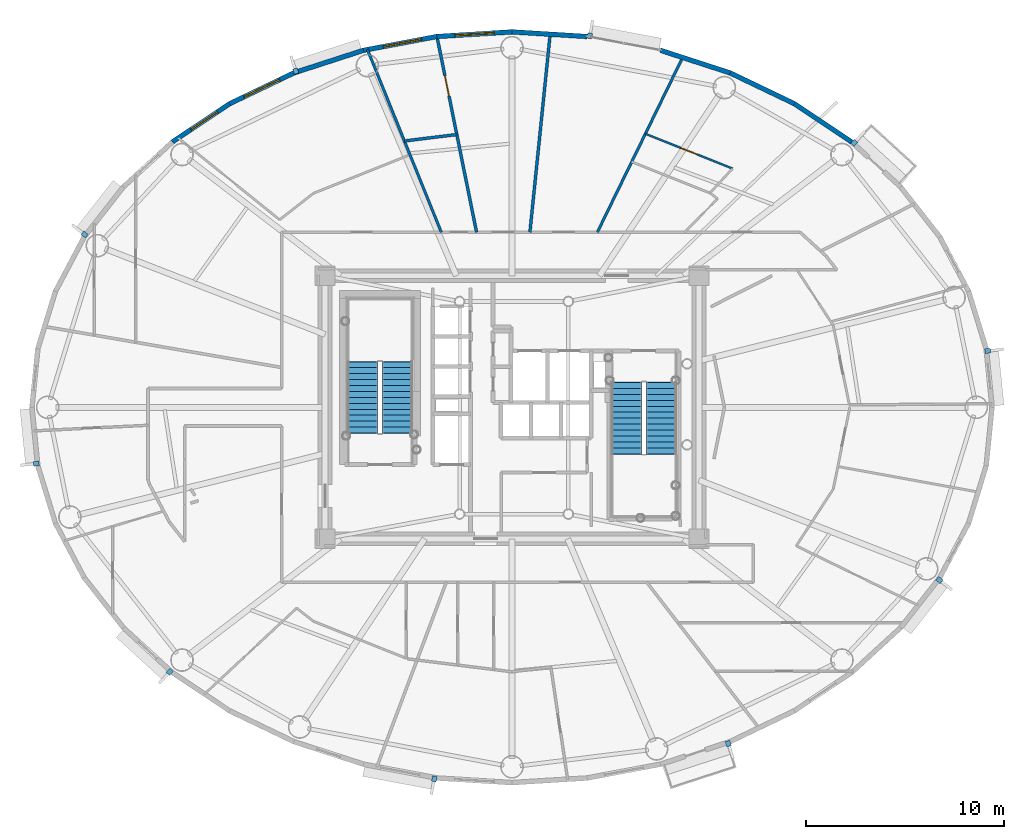
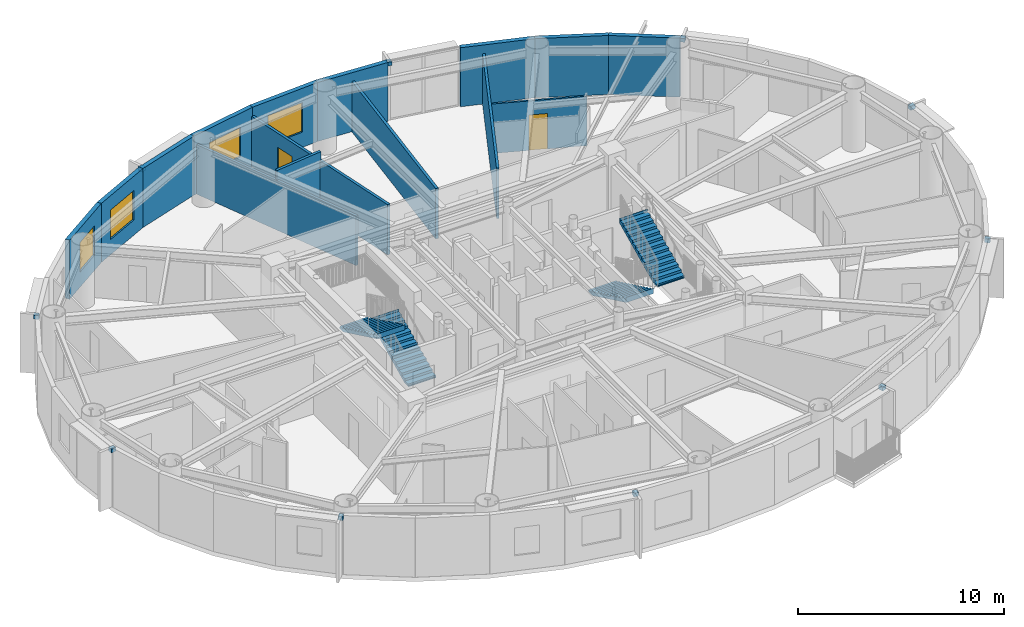
# One storey, part 10 of 18: 15 walls, 10 discrete accessories, 4 stair flights, 4 windows, 2 doors, 6 openings, 2 elements without a shape of their own.
"""IFC4 building model written with IfcOpenShell, lengths in metres."""

import ifcopenshell
import ifcopenshell.guid

model = None  # the IFC model being written
_history = None  # IfcOwnerHistory: only IFC2X3 demands one
_inside = {}  # id of a spatial element -> (the spatial element, [elements in it])
_under = {}  # id of a project, library or spatial element -> (it, [spatial elements below it])
_declared = {}  # id of a project -> (the project, [libraries it declares])
_typed = {}  # id of a type object -> (the type object, [elements of that type])
_made_of = {}  # id of a material, layer set ... -> (it, [elements and type objects made of it])


def new_model(schema):
    """Start an empty IFC model of exactly this schema.

    Asked for "IFC4X3", IfcOpenShell would pick the latest addendum, in which some entities
    have other attributes; the version numbers below select the first issue.
    IFC2X3 requires an IfcOwnerHistory on every rooted entity: one is made here for all.
    """
    global model, _history
    if schema == "IFC4X3":
        model = ifcopenshell.file(schema_version=(4, 3, 0, 0))
    else:
        model = ifcopenshell.file(schema=schema)
    _inside.clear()
    _under.clear()
    _declared.clear()
    _typed.clear()
    _made_of.clear()
    _history = None
    if model.schema == "IFC2X3":
        org = make("IfcOrganization", Name="unknown")
        user = make(
            "IfcPersonAndOrganization",
            ThePerson=make("IfcPerson", FamilyName="unknown"),
            TheOrganization=org,
        )
        app = make(
            "IfcApplication",
            ApplicationDeveloper=org,
            Version="unknown",
            ApplicationFullName="unknown",
            ApplicationIdentifier="unknown",
        )
        _history = make(
            "IfcOwnerHistory",
            OwningUser=user,
            OwningApplication=app,
            ChangeAction="ADDED",
            CreationDate=0,
        )
    return model


def make(cls, **values):
    """One entity of the class cls with the attributes given. An attribute that is None is left unset."""
    return model.create_entity(
        cls, **{name: value for name, value in values.items() if value is not None}
    )


def rooted(cls, **values):
    """An entity with a GlobalId (a new one), such as an element, a storey or a relation."""
    return make(cls, GlobalId=ifcopenshell.guid.new(), OwnerHistory=_history, **values)


def si_unit(unit_type, name, prefix=None):
    """IfcSIUnit, for example si_unit("LENGTHUNIT", "METRE", prefix="MILLI")."""
    return make("IfcSIUnit", UnitType=unit_type, Prefix=prefix, Name=name)


def assignment(units):
    """IfcUnitAssignment: the units of a project."""
    return None if units is None else make("IfcUnitAssignment", Units=units)


def point(xyz):
    """IfcCartesianPoint."""
    return None if xyz is None else make("IfcCartesianPoint", Coordinates=xyz)


def direction(xyz):
    """IfcDirection."""
    return None if xyz is None else make("IfcDirection", DirectionRatios=xyz)


def frame(location, z_axis=None, x_axis=None):
    """IfcAxis2Placement3D, a coordinate frame: its origin and axes. An axis left out is left unset."""
    return make(
        "IfcAxis2Placement3D",
        Location=point(location),
        Axis=direction(z_axis),
        RefDirection=direction(x_axis),
    )


def frame_2d(location, x_axis=None):
    """IfcAxis2Placement2D, a coordinate frame in the plane: its origin and x axis."""
    return make(
        "IfcAxis2Placement2D", Location=point(location), RefDirection=direction(x_axis)
    )


def origin():
    """The frame at (0, 0, 0) with its axes left unset."""
    return frame((0.0, 0.0, 0.0))


def origin_2d():
    """The frame at (0, 0) in the plane with its x axis left unset."""
    return frame_2d((0.0, 0.0))


def place(relative_to, where):
    """IfcLocalPlacement: puts the frame where relative to a parent placement (None: the world)."""
    return make(
        "IfcLocalPlacement", PlacementRelTo=relative_to, RelativePlacement=where
    )


def context(
    kind, dimensions, precision=None, world=None, true_north=None, identifier=None
):
    """IfcGeometricRepresentationContext, for example the 3D "Model" context."""
    return make(
        "IfcGeometricRepresentationContext",
        ContextIdentifier=identifier,
        ContextType=kind,
        CoordinateSpaceDimension=dimensions,
        Precision=precision,
        WorldCoordinateSystem=world,
        TrueNorth=true_north,
    )


def subcontext(parent, identifier, kind, view, scale=None):
    """IfcGeometricRepresentationSubContext, for example "Body" below "Model"."""
    return make(
        "IfcGeometricRepresentationSubContext",
        ContextIdentifier=identifier,
        ContextType=kind,
        ParentContext=parent,
        TargetScale=scale,
        TargetView=view,
    )


def project(units=None, contexts=None):
    """IfcProject with its units and contexts."""
    return rooted(
        "IfcProject",
        Name="project",
        RepresentationContexts=contexts,
        UnitsInContext=assignment(units),
    )


def spatial(cls, under=None, at=None, **own):
    """A site, building, storey or space (cls), placed at a placement, below another one or the project."""
    s = rooted(cls, ObjectPlacement=at, **own)
    if under is not None:
        _under.setdefault(under.id(), (under, []))[1].append(s)
    return s


def polyline(points):
    """IfcPolyline through the points."""
    return make("IfcPolyline", Points=[point(p) for p in points])


def profile(cls, at=None, kind="AREA", **sizes):
    """A parametric profile (cls). Its sizes go by their IFC names, for example OverallWidth=200.0."""
    return make(cls, ProfileType=kind, Position=at, **sizes)


def rectangle(**sizes):
    """IfcRectangleProfileDef."""
    return profile("IfcRectangleProfileDef", **sizes)


def outline(outer, holes=None, kind="AREA"):
    """IfcArbitraryClosedProfileDef: a profile drawn as a closed curve; with holes, ...WithVoids."""
    if holes is None:
        return make("IfcArbitraryClosedProfileDef", ProfileType=kind, OuterCurve=outer)
    return make(
        "IfcArbitraryProfileDefWithVoids",
        ProfileType=kind,
        OuterCurve=outer,
        InnerCurves=holes,
    )


def extrude(swept, where, along, depth):
    """IfcExtrudedAreaSolid: the profile swept, set in the frame where, extruded along a direction by depth."""
    return make(
        "IfcExtrudedAreaSolid",
        SweptArea=swept,
        Position=where,
        ExtrudedDirection=direction(along),
        Depth=depth,
    )


def shape(context_of_items, identifier, shape_type, items):
    """IfcShapeRepresentation: the items that make up one representation, for example the "Body"."""
    return make(
        "IfcShapeRepresentation",
        ContextOfItems=context_of_items,
        RepresentationIdentifier=identifier,
        RepresentationType=shape_type,
        Items=items,
    )


def source(mapping_origin, context_of_items, identifier, shape_type, items):
    """IfcRepresentationMap: a shape defined once, which mapped items show again and again."""
    return make(
        "IfcRepresentationMap",
        MappingOrigin=mapping_origin,
        MappedRepresentation=shape(context_of_items, identifier, shape_type, items),
    )


def transform(
    local_origin,
    x_axis=None,
    y_axis=None,
    z_axis=None,
    scale=None,
    scale2=None,
    scale3=None,
    uniform=True,
):
    """IfcCartesianTransformationOperator3D, or its non-uniform kind. x_axis, y_axis, z_axis: its Axis1, 2, 3."""
    if uniform:
        return make(
            "IfcCartesianTransformationOperator3D",
            Axis1=direction(x_axis),
            Axis2=direction(y_axis),
            LocalOrigin=point(local_origin),
            Scale=scale,
            Axis3=direction(z_axis),
        )
    return make(
        "IfcCartesianTransformationOperator3DnonUniform",
        Axis1=direction(x_axis),
        Axis2=direction(y_axis),
        LocalOrigin=point(local_origin),
        Scale=scale,
        Axis3=direction(z_axis),
        Scale2=scale2,
        Scale3=scale3,
    )


def mapped(mapping_source, mapping_target):
    """IfcMappedItem: shows the shape of a source again, moved by a transform."""
    return make(
        "IfcMappedItem", MappingSource=mapping_source, MappingTarget=mapping_target
    )


def material(Name=None, Category=None):
    """IfcMaterial."""
    return make("IfcMaterial", Name=Name, Category=Category)


def layer(
    of_material, thickness, ventilated=None, Name=None, Category=None, Priority=None
):
    """IfcMaterialLayer: one layer of a wall or slab, of a material (None: an air gap)."""
    return make(
        "IfcMaterialLayer",
        Material=of_material,
        LayerThickness=thickness,
        IsVentilated=ventilated,
        Name=Name,
        Category=Category,
        Priority=Priority,
    )


def layer_set(layers, Name=None):
    """IfcMaterialLayerSet."""
    return make("IfcMaterialLayerSet", MaterialLayers=layers, LayerSetName=Name)


def made_of(thing, what):
    """Note that an element or type object is made of a material, layer set ...; save() writes the relation."""
    if what is not None:
        _made_of.setdefault(what.id(), (what, []))[1].append(thing)
    return thing


def type_object(cls, material=None, **own):
    """A type object (cls), such as IfcWallType, which elements share."""
    return made_of(rooted(cls, **own), material)


def element(
    cls,
    number,
    at=None,
    inside=None,
    cuts=None,
    type_object=None,
    material=None,
    context=None,
    identifier="Body",
    shape_type=None,
    held_by="IfcProductDefinitionShape",
    body=None,
    shapes=None,
    **own,
):
    """One element of the class cls, such as IfcWall. Its Tag is "e" and its number.

    at: its placement. inside: the storey or other place that contains it. cuts: it is an
    opening in that element (IfcRelVoidsElement). A single representation is given by context,
    identifier, shape_type and body (its items); several are given by shapes. held_by: the class
    of the entity that holds the representations. save() writes the other relations.
    """
    e = rooted(cls, Tag="e%d" % number, ObjectPlacement=at, **own)
    if body is not None:
        shapes = [shape(context, identifier, shape_type, body)]
    if shapes is not None:
        e.Representation = make(held_by, Representations=shapes)
    if inside is not None:
        _inside.setdefault(inside.id(), (inside, []))[1].append(e)
    if cuts is not None:
        rooted(
            "IfcRelVoidsElement", RelatingBuildingElement=cuts, RelatedOpeningElement=e
        )
    if type_object is not None:
        _typed.setdefault(type_object.id(), (type_object, []))[1].append(e)
    return made_of(e, material)


def fill(opening, filler):
    """IfcRelFillsElement: the door or window that sits in an opening."""
    return rooted(
        "IfcRelFillsElement",
        RelatingOpeningElement=opening,
        RelatedBuildingElement=filler,
    )


def aggregate(whole, parts):
    """IfcRelAggregates: a whole, such as a stair, and the parts it consists of."""
    return rooted("IfcRelAggregates", RelatingObject=whole, RelatedObjects=parts)


def save(model, path):
    """Write the relations noted so far, then the file.

    IfcRelAggregates (storeys below a building ...), IfcRelContainedInSpatialStructure (elements
    in a storey), IfcRelDefinesByType, IfcRelAssociatesMaterial and IfcRelDeclares: one each for
    every whole, place, type object, material and project.
    """
    for whole, parts in _under.values():
        aggregate(whole, parts)
    for where, things in _inside.values():
        rooted(
            "IfcRelContainedInSpatialStructure",
            RelatedElements=things,
            RelatingStructure=where,
        )
    for kind, things in _typed.values():
        rooted("IfcRelDefinesByType", RelatedObjects=things, RelatingType=kind)
    for what, things in _made_of.values():
        rooted("IfcRelAssociatesMaterial", RelatedObjects=things, RelatingMaterial=what)
    for by, libraries in _declared.values():
        rooted("IfcRelDeclares", RelatingContext=by, RelatedDefinitions=libraries)
    model.write(path)


model = new_model("IFC4")

# Units and contexts
model_context = context("Model", 3, precision=1e-05, world=origin(), true_north=direction((0.0, 1.0)))
body_context = subcontext(model_context, "Body", "Model", "MODEL_VIEW")
ifc_project = project(units=[si_unit("LENGTHUNIT", "METRE"), si_unit("AREAUNIT", "SQUARE_METRE"), si_unit("VOLUMEUNIT", "CUBIC_METRE"), si_unit("PLANEANGLEUNIT", "RADIAN"), si_unit("MASSUNIT", "GRAM", prefix="KILO")], contexts=[model_context])

# Site, building, storey
site_placement = place(None, origin())
site = spatial("IfcSite", under=ifc_project, at=site_placement, CompositionType="ELEMENT")
building_placement = place(site_placement, origin())
building = spatial("IfcBuilding", under=site, at=building_placement, Name="Linh Dai School and Residence Tower", CompositionType="ELEMENT")
storey_placement = place(building_placement, frame((0.0, 0.0, 225.300048828125)))
storey = spatial("IfcBuildingStorey", under=building, at=storey_placement, Name="L55", CompositionType="ELEMENT", Elevation=225.300048828125)

# Walls
ifc_material_1 = material(Name="Precast Concrete B45 (C35/45)", Category="concrete")
ifc_layer_1 = layer(ifc_material_1, 0.239990234375)
ifc_layer_set_1 = layer_set([ifc_layer_1], Name="Precast Concrete B45 (C35/45)")
wall_type_1 = type_object("IfcWallType", Name="EW-TC-240", PredefinedType="SOLIDWALL", material=ifc_layer_set_1)
wall_1_placement = place(storey_placement, frame((50.280029296875, 42.34765625, 0.0), z_axis=(0.0, 0.0, 1.0), x_axis=(0.831262496074, -0.555880079352, 0.0)))
element("IfcWall", 1, at=wall_1_placement, inside=storey, type_object=wall_type_1, Name="L55 Terracotta Exterior Wall 06", PredefinedType="SOLIDWALL", context=body_context, shape_type="SweptSolid", body=[
    extrude(rectangle(XDim=3.484130859375, YDim=0.239990234375, at=frame_2d((1.7421875, 0.0))), origin(), (0.0, 0.0, 1.0), 3.5),
])
wall_2_placement = place(storey_placement, frame((47.031005859375, 43.906494140625, 0.0), z_axis=(0.0, 0.0, 1.0), x_axis=(0.901598104751, -0.432574684313, 0.0)))
element("IfcWall", 2, at=wall_2_placement, inside=storey, type_object=wall_type_1, Name="L55 Terracotta Exterior Wall 07", PredefinedType="SOLIDWALL", context=body_context, shape_type="SweptSolid", body=[
    extrude(rectangle(XDim=3.603515625, YDim=0.239990234375, at=frame_2d((1.8017578125, 0.0))), origin(), (0.0, 0.0, 1.0), 3.5),
])
wall_3_placement = place(storey_placement, frame((43.50927734375, 45.048828125, 0.0), z_axis=(0.0, 0.0, 1.0), x_axis=(0.951210789182, -0.308541787354, 0.0)))
element("IfcWall", 3, at=wall_3_placement, inside=storey, type_object=wall_type_1, Name="L55 Terracotta Exterior Wall 08", PredefinedType="SOLIDWALL", context=body_context, shape_type="SweptSolid", body=[
    extrude(rectangle(XDim=3.702392578125, YDim=0.239990234375, at=frame_2d((1.85107421875, 0.0))), origin(), (0.0, 0.0, 1.0), 3.5),
])
wall_4_placement = place(storey_placement, frame((36.0, 45.97998046875, 0.0), z_axis=(0.0, 0.0, 1.0), x_axis=(0.998108785312, -0.06147237333, 0.0)))
element("IfcWall", 4, at=wall_4_placement, inside=storey, type_object=wall_type_1, Name="L55 Terracotta Exterior Wall 10", PredefinedType="SOLIDWALL", context=body_context, shape_type="SweptSolid", body=[
    extrude(rectangle(XDim=3.808837890625, YDim=0.239990234375, at=frame_2d((1.904296875, 0.0))), origin(), (0.0, 0.0, 1.0), 3.5),
])

# Wall, opening, window
wall_5_placement = place(storey_placement, frame((32.198486328125, 45.745849609375, 0.0), z_axis=(0.0, 0.0, 1.0), x_axis=(0.998108785312, 0.06147237333, 0.0)))
wall_5 = element("IfcWall", 5, at=wall_5_placement, inside=storey, type_object=wall_type_1, Name="L55 Terracotta Exterior Wall 11", PredefinedType="SOLIDWALL", context=body_context, shape_type="SweptSolid", body=[
    extrude(rectangle(XDim=3.808837890625, YDim=0.239990234375, at=frame_2d((1.904296875, 0.0))), origin(), (0.0, 0.0, 1.0), 3.5),
])
opening_1_placement = place(wall_5_placement, frame((0.913330078125, 0.0, 0.89990234375)))
opening_1 = element("IfcOpeningElement", 6, at=opening_1_placement, cuts=wall_5, Name="Opening W1", PredefinedType="OPENING", context=body_context, shape_type="SweptSolid", body=[
    extrude(rectangle(XDim=2.0, YDim=1.75, at=origin_2d()), frame((1.0, 0.1298828125, 0.875), z_axis=(0.0, -1.0, 0.0), x_axis=(1.0, 0.0, 0.0)), (0.0, 0.0, 1.0), 0.260009765625),
])
ifc_material_2 = material(Name="Double Low-E Insulated Glazing", Category="glass")
window_type_1 = type_object("IfcWindowType", Name="WN-RES-2000x1750", PartitioningType="DOUBLE_PANEL_VERTICAL", PredefinedType="WINDOW", material=ifc_material_2)
shared_shape_1 = source(origin(), body_context, "Body", "SweptSolid", [
    extrude(rectangle(XDim=2.0, YDim=1.75, at=origin_2d()), frame((1.0, 0.030029296875, 0.875), z_axis=(0.0, -1.0, 0.0), x_axis=(1.0, 0.0, 0.0)), (0.0, 0.0, 1.0), 0.06005859375),
])
window_1_placement = place(opening_1_placement, origin())
window_1 = element("IfcWindow", 7, at=window_1_placement, inside=storey, type_object=window_type_1, Name="L55 Exterior Window 11.1", OverallHeight=1.75, OverallWidth=2.0, PartitioningType="DOUBLE_PANEL_VERTICAL", PredefinedType="WINDOW", context=body_context, shape_type="MappedRepresentation", body=[
    mapped(shared_shape_1, transform((0.0, 0.0, 0.0), x_axis=(1.0, 0.0, 0.0), y_axis=(0.0, 1.0, 0.0), z_axis=(0.0, 0.0, 1.0), scale=1.0)),
])
fill(opening_1, window_1)

wall_6_placement = place(storey_placement, frame((28.49072265625, 45.048828125, 0.0), z_axis=(0.0, 0.0, 1.0), x_axis=(0.982784898575, 0.184753465822, 0.0)))
wall_6 = element("IfcWall", 8, at=wall_6_placement, inside=storey, type_object=wall_type_1, Name="L55 Terracotta Exterior Wall 12", PredefinedType="SOLIDWALL", context=body_context, shape_type="SweptSolid", body=[
    extrude(rectangle(XDim=3.772705078125, YDim=0.239990234375, at=frame_2d((1.88623046875, 0.0))), origin(), (0.0, 0.0, 1.0), 3.5),
])
opening_2_placement = place(wall_6_placement, frame((1.00634765625, 0.0, 0.89990234375)))
opening_2 = element("IfcOpeningElement", 9, at=opening_2_placement, cuts=wall_6, Name="Opening W1", PredefinedType="OPENING", context=body_context, shape_type="SweptSolid", body=[
    extrude(rectangle(XDim=2.0, YDim=1.75, at=origin_2d()), frame((1.0, 0.1298828125, 0.875), z_axis=(0.0, -1.0, 0.0), x_axis=(1.0, 0.0, 0.0)), (0.0, 0.0, 1.0), 0.260009765625),
])
window_2_placement = place(opening_2_placement, origin())
window_2 = element("IfcWindow", 10, at=window_2_placement, inside=storey, type_object=window_type_1, Name="L55 Exterior Window 12.1", OverallHeight=1.75, OverallWidth=2.0, PartitioningType="DOUBLE_PANEL_VERTICAL", PredefinedType="WINDOW", context=body_context, shape_type="MappedRepresentation", body=[
    mapped(shared_shape_1, transform((0.0, 0.0, 0.0), x_axis=(1.0, 0.0, 0.0), y_axis=(0.0, 1.0, 0.0), z_axis=(0.0, 0.0, 1.0), scale=1.0)),
])
fill(opening_2, window_2)

# Wall
wall_7_placement = place(storey_placement, frame((24.968994140625, 43.906494140625, 0.0), z_axis=(0.0, 0.0, 1.0), x_axis=(0.951210789182, 0.308541787354, 0.0)))
element("IfcWall", 11, at=wall_7_placement, inside=storey, type_object=wall_type_1, Name="L55 Terracotta Exterior Wall 13", PredefinedType="SOLIDWALL", context=body_context, shape_type="SweptSolid", body=[
    extrude(rectangle(XDim=3.702392578125, YDim=0.239990234375, at=frame_2d((1.85107421875, 0.0))), origin(), (0.0, 0.0, 1.0), 3.5),
])

# Wall, opening, window
wall_8_placement = place(storey_placement, frame((21.719970703125, 42.34765625, 0.0), z_axis=(0.0, 0.0, 1.0), x_axis=(0.901598104751, 0.432574684313, 0.0)))
wall_8 = element("IfcWall", 12, at=wall_8_placement, inside=storey, type_object=wall_type_1, Name="L55 Terracotta Exterior Wall 14", PredefinedType="SOLIDWALL", context=body_context, shape_type="SweptSolid", body=[
    extrude(rectangle(XDim=3.603515625, YDim=0.239990234375, at=frame_2d((1.8017578125, 0.0))), origin(), (0.0, 0.0, 1.0), 3.5),
])
opening_3_placement = place(wall_8_placement, frame((0.802001953125, 0.0, 0.89990234375)))
opening_3 = element("IfcOpeningElement", 13, at=opening_3_placement, cuts=wall_8, Name="Opening W1", PredefinedType="OPENING", context=body_context, shape_type="SweptSolid", body=[
    extrude(rectangle(XDim=2.0, YDim=1.75, at=origin_2d()), frame((1.0, 0.1298828125, 0.875), z_axis=(0.0, -1.0, 0.0), x_axis=(1.0, 0.0, 0.0)), (0.0, 0.0, 1.0), 0.260009765625),
])
window_3_placement = place(opening_3_placement, origin())
window_3 = element("IfcWindow", 14, at=window_3_placement, inside=storey, type_object=window_type_1, Name="L55 Exterior Window 14.1", OverallHeight=1.75, OverallWidth=2.0, PartitioningType="DOUBLE_PANEL_VERTICAL", PredefinedType="WINDOW", context=body_context, shape_type="MappedRepresentation", body=[
    mapped(shared_shape_1, transform((0.0, 0.0, 0.0), x_axis=(1.0, 0.0, 0.0), y_axis=(0.0, 1.0, 0.0), z_axis=(0.0, 0.0, 1.0), scale=1.0)),
])
fill(opening_3, window_3)

wall_9_placement = place(storey_placement, frame((18.82373046875, 40.410888671875, 0.0), z_axis=(0.0, 0.0, 1.0), x_axis=(0.831262496074, 0.555880079352, 0.0)))
wall_9 = element("IfcWall", 15, at=wall_9_placement, inside=storey, type_object=wall_type_1, Name="L55 Terracotta Exterior Wall 15", PredefinedType="SOLIDWALL", context=body_context, shape_type="SweptSolid", body=[
    extrude(rectangle(XDim=3.484130859375, YDim=0.239990234375, at=frame_2d((1.7421875, 0.0))), origin(), (0.0, 0.0, 1.0), 3.5),
])
opening_4_placement = place(wall_9_placement, frame((1.14013671875, 0.0, 0.89990234375)))
opening_4 = element("IfcOpeningElement", 16, at=opening_4_placement, cuts=wall_9, Name="Opening W2", PredefinedType="OPENING", context=body_context, shape_type="SweptSolid", body=[
    extrude(rectangle(XDim=1.60009765625, YDim=1.75, at=origin_2d()), frame((0.800048828125, 0.1298828125, 0.875), z_axis=(0.0, -1.0, 0.0), x_axis=(1.0, 0.0, 0.0)), (0.0, 0.0, 1.0), 0.260009765625),
])
window_type_2 = type_object("IfcWindowType", Name="WN-RES-1600x1750", PartitioningType="DOUBLE_PANEL_VERTICAL", PredefinedType="WINDOW", material=ifc_material_2)
shared_shape_2 = source(origin(), body_context, "Body", "SweptSolid", [
    extrude(rectangle(XDim=1.60009765625, YDim=1.75, at=origin_2d()), frame((0.800048828125, 0.030029296875, 0.875), z_axis=(0.0, -1.0, 0.0), x_axis=(1.0, 0.0, 0.0)), (0.0, 0.0, 1.0), 0.06005859375),
])
window_4_placement = place(opening_4_placement, origin())
window_4 = element("IfcWindow", 17, at=window_4_placement, inside=storey, type_object=window_type_2, Name="L55 Exterior Window 15.1", OverallHeight=1.75, OverallWidth=1.60009765625, PartitioningType="DOUBLE_PANEL_VERTICAL", PredefinedType="WINDOW", context=body_context, shape_type="MappedRepresentation", body=[
    mapped(shared_shape_2, transform((0.0, 0.0, 0.0), x_axis=(1.0, 0.0, 0.0), y_axis=(0.0, 1.0, 0.0), z_axis=(0.0, 0.0, 1.0), scale=1.0)),
])
fill(opening_4, window_4)

# Walls
ifc_material_3 = material(Name="Autoclaved Aerated Concrete Blockwork", Category="masonry")
ifc_layer_2 = layer(ifc_material_3, 0.135009765625)
ifc_layer_set_2 = layer_set([ifc_layer_2], Name="Autoclaved Aerated Concrete Blockwork")
wall_type_2 = type_object("IfcWallType", Name="IW-CORR-135-EI90", PredefinedType="PARTITIONING", material=ifc_layer_set_2)
wall_10_placement = place(storey_placement, frame((28.690673828125, 45.09130859375, 0.0), z_axis=(0.0, 0.0, 1.0), x_axis=(0.37459385956, -0.927188999277, 0.0)))
element("IfcWall", 18, at=wall_10_placement, inside=storey, type_object=wall_type_2, Name="L55 Interior Partition Wall 026", PredefinedType="PARTITIONING", context=body_context, shape_type="SweptSolid", body=[
    extrude(rectangle(XDim=9.96728515625, YDim=0.135009765625, at=frame_2d((4.983642578125, 0.0))), origin(), (0.0, 0.0, 1.0), 2.93505859375),
])
wall_11_placement = place(storey_placement, frame((40.31640625, 35.85009765625, 0.0), z_axis=(0.0, 0.0, 1.0), x_axis=(0.438375708348, 0.898791821464, 0.0)))
element("IfcWall", 19, at=wall_11_placement, inside=storey, type_object=wall_type_2, Name="L55 Interior Partition Wall 063", PredefinedType="PARTITIONING", context=body_context, shape_type="SweptSolid", body=[
    extrude(rectangle(XDim=9.83642578125, YDim=0.135009765625, at=frame_2d((4.918212890625, 0.0))), origin(), (0.0, 0.0, 1.0), 2.98486328125),
])
ifc_layer_3 = layer(ifc_material_3, 0.14990234375)
ifc_layer_set_3 = layer_set([ifc_layer_3], Name="Autoclaved Aerated Concrete Blockwork")
wall_type_3 = type_object("IfcWallType", Name="IW-SCH-150-EI60", PredefinedType="PARTITIONING", material=ifc_layer_set_3)
wall_12_placement = place(storey_placement, frame((30.560546875, 40.463134765625, 0.0), z_axis=(0.0, 0.0, 1.0), x_axis=(0.992402619978, 0.123032678023, 0.0)))
element("IfcWall", 20, at=wall_12_placement, inside=storey, type_object=wall_type_3, Name="L55 Interior Partition Wall 028", PredefinedType="PARTITIONING", context=body_context, shape_type="SweptSolid", body=[
    extrude(rectangle(XDim=2.6689453125, YDim=0.14990234375, at=frame_2d((1.33447265625, 0.0))), origin(), (0.0, 0.0, 1.0), 3.5),
])

# Wall, opening, door
wall_13_placement = place(storey_placement, frame((32.20556640625, 45.751220703125, 0.0), z_axis=(0.0, 0.0, 1.0), x_axis=(0.198323299654, -0.980136658234, 0.0)))
wall_13 = element("IfcWall", 21, at=wall_13_placement, inside=storey, type_object=wall_type_3, Name="L55 Interior Partition Wall 038", PredefinedType="PARTITIONING", context=body_context, shape_type="SweptSolid", body=[
    extrude(rectangle(XDim=10.101806640625, YDim=0.14990234375, at=frame_2d((5.05078125, 0.0))), origin(), (0.0, 0.0, 1.0), 2.98486328125),
])
opening_5_placement = place(wall_13_placement, frame((2.025146484375, 0.0, 0.0)))
opening_5 = element("IfcOpeningElement", 22, at=opening_5_placement, cuts=wall_13, Name="Opening D04", PredefinedType="OPENING", context=body_context, shape_type="SweptSolid", body=[
    extrude(rectangle(XDim=1.050048828125, YDim=2.14990234375, at=origin_2d()), frame((0.52490234375, 0.0849609375, 1.074951171875), z_axis=(0.0, -1.0, 0.0), x_axis=(1.0, 0.0, 0.0)), (0.0, 0.0, 1.0), 0.169921875),
])
ifc_material_4 = material(Name="Acoustic Vision-Panel Timber Classroom Door", Category="wood")
door_type_1 = type_object("IfcDoorType", Name="DR-SCH-1050x2150-FD60S", OperationType="NOTDEFINED", PredefinedType="DOOR", material=ifc_material_4)
shared_shape_3 = source(origin(), body_context, "Body", "SweptSolid", [
    extrude(rectangle(XDim=1.050048828125, YDim=2.14990234375, at=origin_2d()), frame((0.52490234375, 0.02490234375, 1.074951171875), z_axis=(0.0, -1.0, 0.0), x_axis=(1.0, 0.0, 0.0)), (0.0, 0.0, 1.0), 0.050048828125),
])
door_1_placement = place(opening_5_placement, origin())
door_1 = element("IfcDoor", 23, at=door_1_placement, inside=storey, type_object=door_type_1, Name="L55 Amenity Tea Salon Door", OperationType="SINGLE_SWING_LEFT", OverallHeight=2.14990234375, OverallWidth=1.050048828125, PredefinedType="DOOR", context=body_context, shape_type="MappedRepresentation", body=[
    mapped(shared_shape_3, transform((0.0, 0.0, 0.0), x_axis=(1.0, 0.0, 0.0), y_axis=(0.0, 1.0, 0.0), z_axis=(0.0, 0.0, 1.0), scale=1.0)),
])
fill(opening_5, door_1)

# Wall
wall_14_placement = place(storey_placement, frame((36.9052734375, 35.85009765625, 0.0), z_axis=(0.0, 0.0, 1.0), x_axis=(0.101745833159, 0.994810426883, 0.0)))
element("IfcWall", 24, at=wall_14_placement, inside=storey, type_object=wall_type_3, Name="L55 Interior Partition Wall 055", PredefinedType="PARTITIONING", context=body_context, shape_type="SweptSolid", body=[
    extrude(rectangle(XDim=10.068359375, YDim=0.14990234375, at=frame_2d((5.0341796875, 0.0))), origin(), (0.0, 0.0, 1.0), 2.98486328125),
])

# Wall, opening, door
ifc_material_5 = material(Name="Gypsum Plasterboard Acoustic Stud Partition", Category="masonry")
ifc_layer_4 = layer(ifc_material_5, 0.10009765625)
ifc_layer_set_4 = layer_set([ifc_layer_4], Name="Gypsum Plasterboard Acoustic Stud Partition")
wall_type_4 = type_object("IfcWallType", Name="IW-UNIT-100", PredefinedType="PARTITIONING", material=ifc_layer_set_4)
wall_15_placement = place(storey_placement, frame((42.744384765625, 40.828125, 0.0), z_axis=(0.0, 0.0, 1.0), x_axis=(0.928817025393, -0.370538706939, 0.0)))
wall_15 = element("IfcWall", 25, at=wall_15_placement, inside=storey, type_object=wall_type_4, Name="L55 Interior Partition Wall 067", PredefinedType="PARTITIONING", context=body_context, shape_type="SweptSolid", body=[
    extrude(rectangle(XDim=4.743896484375, YDim=0.10009765625, at=frame_2d((2.3720703125, 0.0))), origin(), (0.0, 0.0, 1.0), 2.93505859375),
])
opening_6_placement = place(wall_15_placement, frame((1.921875, 0.0, 0.0)))
opening_6 = element("IfcOpeningElement", 26, at=opening_6_placement, cuts=wall_15, Name="Opening D05", PredefinedType="OPENING", context=body_context, shape_type="SweptSolid", body=[
    extrude(rectangle(XDim=0.89990234375, YDim=2.10009765625, at=origin_2d()), frame((0.449951171875, 0.06005859375, 1.050048828125), z_axis=(0.0, -1.0, 0.0), x_axis=(1.0, 0.0, 0.0)), (0.0, 0.0, 1.0), 0.1201171875),
])
ifc_material_6 = material(Name="Engineered Timber Internal Door", Category="wood")
door_type_2 = type_object("IfcDoorType", Name="DR-INT-900x2100", OperationType="NOTDEFINED", PredefinedType="DOOR", material=ifc_material_6)
shared_shape_4 = source(origin(), body_context, "Body", "SweptSolid", [
    extrude(rectangle(XDim=0.89990234375, YDim=2.10009765625, at=origin_2d()), frame((0.449951171875, 0.02490234375, 1.050048828125), z_axis=(0.0, -1.0, 0.0), x_axis=(1.0, 0.0, 0.0)), (0.0, 0.0, 1.0), 0.050048828125),
])
door_2_placement = place(opening_6_placement, origin())
door_2 = element("IfcDoor", 27, at=door_2_placement, inside=storey, type_object=door_type_2, Name="L55 Apartment U5505 Kitchen Door", OperationType="SINGLE_SWING_LEFT", OverallHeight=2.10009765625, OverallWidth=0.89990234375, PredefinedType="DOOR", context=body_context, shape_type="MappedRepresentation", body=[
    mapped(shared_shape_4, transform((0.0, 0.0, 0.0), x_axis=(1.0, 0.0, 0.0), y_axis=(0.0, 1.0, 0.0), z_axis=(0.0, 0.0, 1.0), scale=1.0)),
])
fill(opening_6, door_2)

# Stair, stair flights
ifc_material_7 = material(Name="Concrete B45 (C35/45)", Category="concrete")
stair_type = type_object("IfcStairType", Name="ST-DOG-1550-R1442", PredefinedType="HALF_TURN_STAIR", material=ifc_material_7)
stair_1_placement = place(storey_placement, origin())
stair_1 = element("IfcStair", 28, at=stair_1_placement, inside=storey, type_object=stair_type, Name="L55 Core Smokeproof Exit Stair ST1", PredefinedType="HALF_TURN_STAIR")
stair_flight_type = type_object("IfcStairFlightType", Name="STF-STR-1550-R1442", PredefinedType="STRAIGHT", material=ifc_material_7)
shared_shape_5 = source(origin(), body_context, "Body", "SweptSolid", [
    extrude(outline(polyline([(-0.02490234375, 0.0), (-0.02490234375, 0.06005859375), (0.0, 0.06005859375), (0.0, 0.144287109375), (0.300048828125, 0.144287109375), (0.300048828125, 0.28857421875), (0.60009765625, 0.28857421875), (0.60009765625, 0.4326171875), (0.89990234375, 0.4326171875), (0.89990234375, 0.576904296875), (1.199951171875, 0.576904296875), (1.199951171875, 0.72119140625), (1.5, 0.72119140625), (1.5, 0.865478515625), (1.800048828125, 0.865478515625), (1.800048828125, 1.009521484375), (2.10009765625, 1.009521484375), (2.10009765625, 1.15380859375), (2.39990234375, 1.15380859375), (2.39990234375, 1.298095703125), (2.699951171875, 1.298095703125), (2.699951171875, 1.4423828125), (3.0, 1.4423828125), (3.0, 1.58642578125), (3.300048828125, 1.58642578125), (3.300048828125, 1.730712890625), (3.60009765625, 1.730712890625), (3.60009765625, 1.875), (3.625, 1.875), (3.625, 1.564453125), (3.60009765625, 1.564453125), (0.345947265625, 0.0), (-0.02490234375, 0.0)])), frame((0.0, 0.77490234375, 0.0), z_axis=(0.0, -1.0, 0.0), x_axis=(1.0, 0.0, 0.0)), (0.0, 0.0, 1.0), 1.550048828125),
])
stair_flight_1_placement = place(storey_placement, frame((30.205078125, 25.699951171875, 0.0), z_axis=(0.0, 0.0, 1.0), x_axis=(0.0, 1.0, 0.0)))
stair_flight_1 = element("IfcStairFlight", 29, at=stair_flight_1_placement, type_object=stair_flight_type, Name="ST1 flight 1", NumberOfRisers=13, NumberOfTreads=12, PredefinedType="STRAIGHT", RiserHeight=0.144230769, TreadLength=0.3, context=body_context, shape_type="MappedRepresentation", body=[
    mapped(shared_shape_5, transform((0.0, 0.0, 0.0), x_axis=(1.0, 0.0, 0.0), y_axis=(0.0, 1.0, 0.0), z_axis=(0.0, 0.0, 1.0), scale=1.0)),
])
stair_flight_2_placement = place(storey_placement, frame((28.455078125, 29.300048828125, 1.875), z_axis=(0.0, 0.0, 1.0), x_axis=(0.0, -1.0, 0.0)))
stair_flight_2 = element("IfcStairFlight", 30, at=stair_flight_2_placement, type_object=stair_flight_type, Name="ST1 flight 2", NumberOfRisers=13, NumberOfTreads=12, PredefinedType="STRAIGHT", RiserHeight=0.144230769, TreadLength=0.3, context=body_context, shape_type="MappedRepresentation", body=[
    mapped(shared_shape_5, transform((0.0, 0.0, 0.0), x_axis=(1.0, 0.0, 0.0), y_axis=(0.0, 1.0, 0.0), z_axis=(0.0, 0.0, 1.0), scale=1.0)),
])
aggregate(stair_1, [stair_flight_1, stair_flight_2])

stair_2_placement = place(storey_placement, origin())
stair_2 = element("IfcStair", 31, at=stair_2_placement, inside=storey, type_object=stair_type, Name="L55 Core Smokeproof Exit Stair ST2", PredefinedType="HALF_TURN_STAIR")
stair_flight_3_placement = place(storey_placement, frame((41.794921875, 28.25, 0.0), z_axis=(0.0, 0.0, 1.0), x_axis=(0.0, -1.0, 0.0)))
stair_flight_3 = element("IfcStairFlight", 32, at=stair_flight_3_placement, type_object=stair_flight_type, Name="ST2 flight 1", NumberOfRisers=13, NumberOfTreads=12, PredefinedType="STRAIGHT", RiserHeight=0.144230769, TreadLength=0.3, context=body_context, shape_type="MappedRepresentation", body=[
    mapped(shared_shape_5, transform((0.0, 0.0, 0.0), x_axis=(1.0, 0.0, 0.0), y_axis=(0.0, 1.0, 0.0), z_axis=(0.0, 0.0, 1.0), scale=1.0)),
])
stair_flight_4_placement = place(storey_placement, frame((43.544921875, 24.64990234375, 1.875), z_axis=(0.0, 0.0, 1.0), x_axis=(0.0, 1.0, 0.0)))
stair_flight_4 = element("IfcStairFlight", 33, at=stair_flight_4_placement, type_object=stair_flight_type, Name="ST2 flight 2", NumberOfRisers=13, NumberOfTreads=12, PredefinedType="STRAIGHT", RiserHeight=0.144230769, TreadLength=0.3, context=body_context, shape_type="MappedRepresentation", body=[
    mapped(shared_shape_5, transform((0.0, 0.0, 0.0), x_axis=(1.0, 0.0, 0.0), y_axis=(0.0, 1.0, 0.0), z_axis=(0.0, 0.0, 1.0), scale=1.0)),
])
aggregate(stair_2, [stair_flight_3, stair_flight_4])

# Discrete accessories
ifc_material_8 = material(Name="Structural Steel S355JR", Category="steel")
discrete_accessory_type = type_object("IfcDiscreteAccessoryType", Name="ACC-BRK-S355", PredefinedType="BRACKET", material=ifc_material_8)
shared_shape_6 = source(origin(), body_context, "Body", "SweptSolid", [
    extrude(rectangle(XDim=0.280029296875, YDim=0.239990234375, at=origin_2d()), origin(), (0.0, 0.0, 1.0), 0.219970703125),
])
for number, where, z_axis, x_axis, name in (
    (34, (60.048828125, 29.8505859375, 3.25), (0.0, 0.0, 1.0), (0.99498620644, 0.100012244219, 0.0), "L55 Facade Frame Anchor Bracket 01"),
    (35, (53.305419921875, 40.3740234375, 3.25), (0.0, 0.0, 1.0), (0.675757574408, 0.737123938446, 0.0), "L55 Facade Frame Anchor Bracket 05"),
    (36, (39.9306640625, 45.782470703125, 3.25), (0.0, 0.0, 1.0), (0.18474448537, 0.982786586765, 0.0), "L55 Facade Frame Anchor Bracket 09"),
    (37, (25.064697265625, 44.000732421875, 3.25), (0.0, 0.0, 1.0), (-0.308501065272, 0.951223997135, 0.0), "L55 Facade Frame Anchor Bracket 13"),
    (38, (14.390869140625, 35.73681640625, 3.25), (0.0, 0.0, 1.0), (-0.787486677066, 0.616331674867, 0.0), "L55 Facade Frame Anchor Bracket 17"),
    (39, (11.951171875, 24.1494140625, 3.25), (0.0, 0.0, 1.0), (-0.99498620644, -0.100012244219, 0.0), "L55 Facade Frame Anchor Bracket 21"),
    (40, (18.694580078125, 13.6259765625, 3.25), (0.0, 0.0, 1.0), (-0.675756089102, -0.737125300096, 0.0), "L55 Facade Frame Anchor Bracket 25"),
    (41, (32.0693359375, 8.217529296875, 3.25), (0.0, 0.0, 1.0), (-0.18474448537, -0.982786586765, 0.0), "L55 Facade Frame Anchor Bracket 29"),
    (42, (46.935302734375, 9.999267578125, 3.25), (0.0, 0.0, 1.0), (0.308501065272, -0.951223997135, 0.0), "L55 Facade Frame Anchor Bracket 33"),
    (43, (57.609130859375, 18.26318359375, 3.25), (0.0, 0.0, 1.0), (0.787485171888, -0.616333598027, 0.0), "L55 Facade Frame Anchor Bracket 37"),
):
    element("IfcDiscreteAccessory", number, at=place(storey_placement, frame(where, z_axis=z_axis, x_axis=x_axis)), inside=storey, type_object=discrete_accessory_type, Name=name, PredefinedType="BRACKET", context=body_context, shape_type="MappedRepresentation", body=[
        mapped(shared_shape_6, transform((0.0, 0.0, 0.0), x_axis=(1.0, 0.0, 0.0), y_axis=(0.0, 1.0, 0.0), z_axis=(0.0, 0.0, 1.0), scale=1.0)),
    ])

save(model, "model.ifc")
